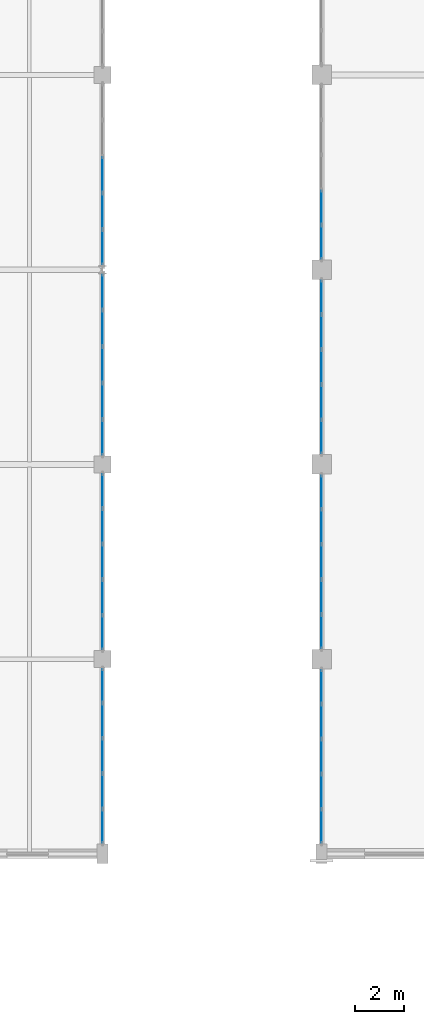
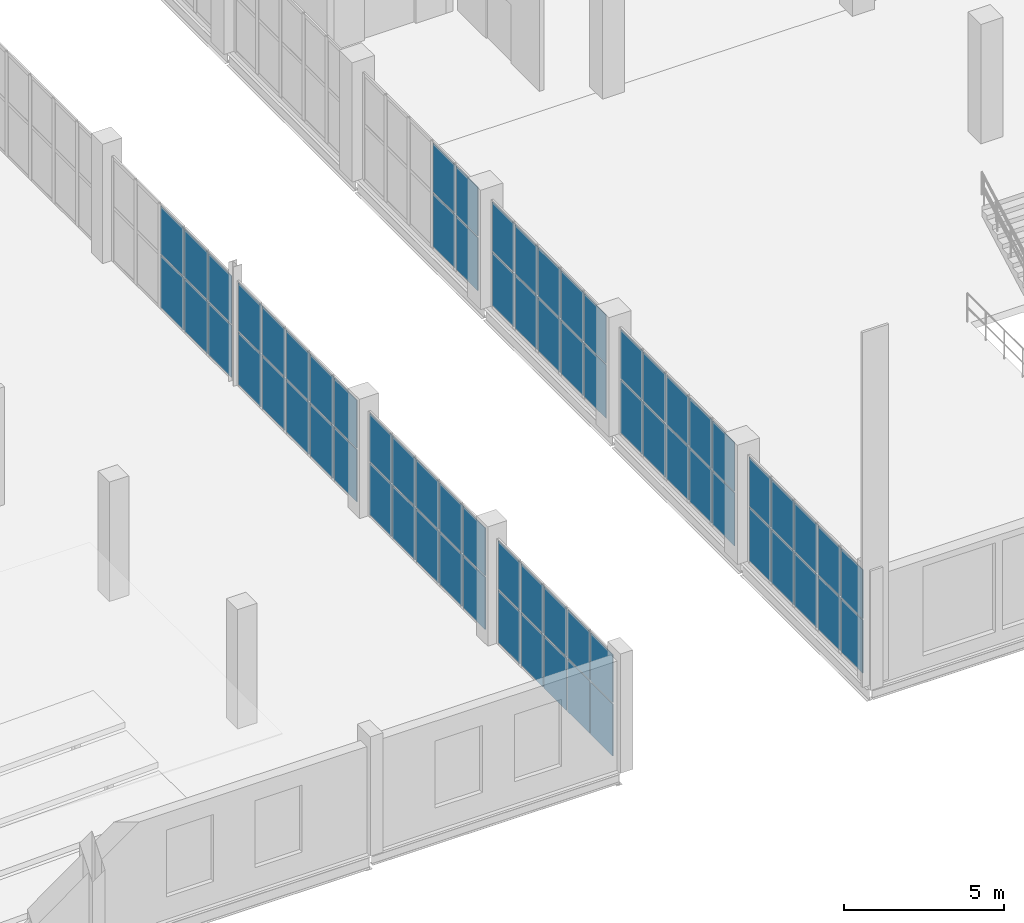
# One storey, part 56 of 93: 70 plates, 8 elements without a shape of their own.
"""IFC4 building model written with IfcOpenShell, lengths in metres."""

from ifc_helpers import new_model, si_unit, direction, frame, origin, origin_2d, place, context, subcontext, project, spatial, rectangle, extrude, material, layer, layer_set, type_object, element, aggregate, save


model = new_model("IFC4")

# Units and contexts
model_context = context("Model", 3, precision=1e-05, world=origin(), true_north=direction((0.0, 1.0)))
body_context = subcontext(model_context, "Body", "Model", "MODEL_VIEW")
ifc_project = project(units=[si_unit("LENGTHUNIT", "METRE"), si_unit("AREAUNIT", "SQUARE_METRE"), si_unit("VOLUMEUNIT", "CUBIC_METRE"), si_unit("PLANEANGLEUNIT", "RADIAN"), si_unit("MASSUNIT", "GRAM", prefix="KILO")], contexts=[model_context])

# Site, building, storey
site_placement = place(None, origin())
site = spatial("IfcSite", under=ifc_project, at=site_placement, CompositionType="ELEMENT")
building_placement = place(site_placement, origin())
building = spatial("IfcBuilding", under=site, at=building_placement, Name="Marnock Terrace Opera House", CompositionType="ELEMENT")
storey_placement = place(building_placement, frame((0.0, 0.0, 5.39990234375)))
storey = spatial("IfcBuildingStorey", under=building, at=storey_placement, Name="L01", CompositionType="ELEMENT", Elevation=5.39990234375)

# Curtain wall, plates
ifc_material_1 = material(Name="Anodised architectural bronze aluminium framing", Category="aluminium")
ifc_layer_1 = layer(ifc_material_1, 0.159912109375)
ifc_layer_set_1 = layer_set([ifc_layer_1], Name="Anodised architectural bronze aluminium framing")
curtain_wall_type_1 = type_object("IfcCurtainWallType", Name="CW-FOYER-80x45", PredefinedType="NOTDEFINED", material=ifc_layer_set_1)
curtain_wall_1_placement = place(storey_placement, origin())
curtain_wall_1 = element("IfcCurtainWall", 1, at=curtain_wall_1_placement, inside=storey, type_object=curtain_wall_type_1, Name="L01 glazed Beaux-Arts colonnade curtain wall CW-V1W-L01-01", PredefinedType="NOTDEFINED")
ifc_material_2 = material(Name="Double-glazed acoustic low-E laminated glass", Category="glass")
ifc_layer_2 = layer(ifc_material_2, 0.028076171875)
ifc_layer_set_2 = layer_set([ifc_layer_2], Name="Double-glazed acoustic low-E laminated glass")
plate_type = type_object("IfcPlateType", Name="CWP-GLZ-28", PredefinedType="CURTAIN_PANEL", material=ifc_layer_set_2)
plate_1_placement = place(storey_placement, frame((55.0, 9.1318359375, 0.06005859375), z_axis=(0.0, 0.0, 1.0), x_axis=(0.0, 1.0, 0.0)))
plate_1 = element("IfcPlate", 2, at=plate_1_placement, type_object=plate_type, Name="CW-87 panel 1.1", PredefinedType="CURTAIN_PANEL", context=body_context, shape_type="SweptSolid", body=[
    extrude(rectangle(XDim=1.3515625, YDim=0.028076171875, at=origin_2d()), origin(), (0.0, 0.0, 1.0), 2.017333984375),
])
plate_2_placement = place(storey_placement, frame((55.0, 9.1318359375, 2.1376953125), z_axis=(0.0, 0.0, 1.0), x_axis=(0.0, 1.0, 0.0)))
plate_2 = element("IfcPlate", 3, at=plate_2_placement, type_object=plate_type, Name="CW-87 panel 1.2", PredefinedType="CURTAIN_PANEL", context=body_context, shape_type="SweptSolid", body=[
    extrude(rectangle(XDim=1.3515625, YDim=0.028076171875, at=origin_2d()), origin(), (0.0, 0.0, 1.0), 1.855224609375),
])
plate_3_placement = place(storey_placement, frame((55.0, 10.558349609375, 0.06005859375), z_axis=(0.0, 0.0, 1.0), x_axis=(0.0, 1.0, 0.0)))
plate_3 = element("IfcPlate", 4, at=plate_3_placement, type_object=plate_type, Name="CW-87 panel 2.1", PredefinedType="CURTAIN_PANEL", context=body_context, shape_type="SweptSolid", body=[
    extrude(rectangle(XDim=1.381591796875, YDim=0.028076171875, at=origin_2d()), origin(), (0.0, 0.0, 1.0), 2.017333984375),
])
plate_4_placement = place(storey_placement, frame((55.0, 10.558349609375, 2.1376953125), z_axis=(0.0, 0.0, 1.0), x_axis=(0.0, 1.0, 0.0)))
plate_4 = element("IfcPlate", 5, at=plate_4_placement, type_object=plate_type, Name="CW-87 panel 2.2", PredefinedType="CURTAIN_PANEL", context=body_context, shape_type="SweptSolid", body=[
    extrude(rectangle(XDim=1.381591796875, YDim=0.028076171875, at=origin_2d()), origin(), (0.0, 0.0, 1.0), 1.855224609375),
])
plate_5_placement = place(storey_placement, frame((55.0, 12.0, 0.06005859375), z_axis=(0.0, 0.0, 1.0), x_axis=(0.0, 1.0, 0.0)))
plate_5 = element("IfcPlate", 6, at=plate_5_placement, type_object=plate_type, Name="CW-87 panel 3.1", PredefinedType="CURTAIN_PANEL", context=body_context, shape_type="SweptSolid", body=[
    extrude(rectangle(XDim=1.381591796875, YDim=0.028076171875, at=origin_2d()), origin(), (0.0, 0.0, 1.0), 2.017333984375),
])
plate_6_placement = place(storey_placement, frame((55.0, 12.0, 2.1376953125), z_axis=(0.0, 0.0, 1.0), x_axis=(0.0, 1.0, 0.0)))
plate_6 = element("IfcPlate", 7, at=plate_6_placement, type_object=plate_type, Name="CW-87 panel 3.2", PredefinedType="CURTAIN_PANEL", context=body_context, shape_type="SweptSolid", body=[
    extrude(rectangle(XDim=1.381591796875, YDim=0.028076171875, at=origin_2d()), origin(), (0.0, 0.0, 1.0), 1.855224609375),
])
plate_7_placement = place(storey_placement, frame((55.0, 13.441650390625, 0.06005859375), z_axis=(0.0, 0.0, 1.0), x_axis=(0.0, 1.0, 0.0)))
plate_7 = element("IfcPlate", 8, at=plate_7_placement, type_object=plate_type, Name="CW-87 panel 4.1", PredefinedType="CURTAIN_PANEL", context=body_context, shape_type="SweptSolid", body=[
    extrude(rectangle(XDim=1.381591796875, YDim=0.028076171875, at=origin_2d()), origin(), (0.0, 0.0, 1.0), 2.017333984375),
])
plate_8_placement = place(storey_placement, frame((55.0, 13.441650390625, 2.1376953125), z_axis=(0.0, 0.0, 1.0), x_axis=(0.0, 1.0, 0.0)))
plate_8 = element("IfcPlate", 9, at=plate_8_placement, type_object=plate_type, Name="CW-87 panel 4.2", PredefinedType="CURTAIN_PANEL", context=body_context, shape_type="SweptSolid", body=[
    extrude(rectangle(XDim=1.381591796875, YDim=0.028076171875, at=origin_2d()), origin(), (0.0, 0.0, 1.0), 1.855224609375),
])
plate_9_placement = place(storey_placement, frame((55.0, 14.8681640625, 0.06005859375), z_axis=(0.0, 0.0, 1.0), x_axis=(0.0, 1.0, 0.0)))
plate_9 = element("IfcPlate", 10, at=plate_9_placement, type_object=plate_type, Name="CW-87 panel 5.1", PredefinedType="CURTAIN_PANEL", context=body_context, shape_type="SweptSolid", body=[
    extrude(rectangle(XDim=1.3515625, YDim=0.028076171875, at=origin_2d()), origin(), (0.0, 0.0, 1.0), 2.017333984375),
])
plate_10_placement = place(storey_placement, frame((55.0, 14.8681640625, 2.1376953125), z_axis=(0.0, 0.0, 1.0), x_axis=(0.0, 1.0, 0.0)))
plate_10 = element("IfcPlate", 11, at=plate_10_placement, type_object=plate_type, Name="CW-87 panel 5.2", PredefinedType="CURTAIN_PANEL", context=body_context, shape_type="SweptSolid", body=[
    extrude(rectangle(XDim=1.3515625, YDim=0.028076171875, at=origin_2d()), origin(), (0.0, 0.0, 1.0), 1.855224609375),
])
aggregate(curtain_wall_1, [plate_1, plate_2, plate_3, plate_4, plate_5, plate_6, plate_7, plate_8, plate_9, plate_10])

curtain_wall_2_placement = place(storey_placement, origin())
curtain_wall_2 = element("IfcCurtainWall", 12, at=curtain_wall_2_placement, inside=storey, type_object=curtain_wall_type_1, Name="L01 glazed Beaux-Arts colonnade curtain wall CW-V1W-L01-02", PredefinedType="NOTDEFINED")
plate_11_placement = place(storey_placement, frame((55.0, 17.1318359375, 0.06005859375), z_axis=(0.0, 0.0, 1.0), x_axis=(0.0, 1.0, 0.0)))
plate_11 = element("IfcPlate", 13, at=plate_11_placement, type_object=plate_type, Name="CW-87 panel 1.1", PredefinedType="CURTAIN_PANEL", context=body_context, shape_type="SweptSolid", body=[
    extrude(rectangle(XDim=1.3515625, YDim=0.028076171875, at=origin_2d()), origin(), (0.0, 0.0, 1.0), 2.017333984375),
])
plate_12_placement = place(storey_placement, frame((55.0, 17.1318359375, 2.1376953125), z_axis=(0.0, 0.0, 1.0), x_axis=(0.0, 1.0, 0.0)))
plate_12 = element("IfcPlate", 14, at=plate_12_placement, type_object=plate_type, Name="CW-87 panel 1.2", PredefinedType="CURTAIN_PANEL", context=body_context, shape_type="SweptSolid", body=[
    extrude(rectangle(XDim=1.3515625, YDim=0.028076171875, at=origin_2d()), origin(), (0.0, 0.0, 1.0), 1.855224609375),
])
plate_13_placement = place(storey_placement, frame((55.0, 18.558349609375, 0.06005859375), z_axis=(0.0, 0.0, 1.0), x_axis=(0.0, 1.0, 0.0)))
plate_13 = element("IfcPlate", 15, at=plate_13_placement, type_object=plate_type, Name="CW-87 panel 2.1", PredefinedType="CURTAIN_PANEL", context=body_context, shape_type="SweptSolid", body=[
    extrude(rectangle(XDim=1.381591796875, YDim=0.028076171875, at=origin_2d()), origin(), (0.0, 0.0, 1.0), 2.017333984375),
])
plate_14_placement = place(storey_placement, frame((55.0, 18.558349609375, 2.1376953125), z_axis=(0.0, 0.0, 1.0), x_axis=(0.0, 1.0, 0.0)))
plate_14 = element("IfcPlate", 16, at=plate_14_placement, type_object=plate_type, Name="CW-87 panel 2.2", PredefinedType="CURTAIN_PANEL", context=body_context, shape_type="SweptSolid", body=[
    extrude(rectangle(XDim=1.381591796875, YDim=0.028076171875, at=origin_2d()), origin(), (0.0, 0.0, 1.0), 1.855224609375),
])
plate_15_placement = place(storey_placement, frame((55.0, 20.0, 0.06005859375), z_axis=(0.0, 0.0, 1.0), x_axis=(0.0, 1.0, 0.0)))
plate_15 = element("IfcPlate", 17, at=plate_15_placement, type_object=plate_type, Name="CW-87 panel 3.1", PredefinedType="CURTAIN_PANEL", context=body_context, shape_type="SweptSolid", body=[
    extrude(rectangle(XDim=1.381591796875, YDim=0.028076171875, at=origin_2d()), origin(), (0.0, 0.0, 1.0), 2.017333984375),
])
plate_16_placement = place(storey_placement, frame((55.0, 20.0, 2.1376953125), z_axis=(0.0, 0.0, 1.0), x_axis=(0.0, 1.0, 0.0)))
plate_16 = element("IfcPlate", 18, at=plate_16_placement, type_object=plate_type, Name="CW-87 panel 3.2", PredefinedType="CURTAIN_PANEL", context=body_context, shape_type="SweptSolid", body=[
    extrude(rectangle(XDim=1.381591796875, YDim=0.028076171875, at=origin_2d()), origin(), (0.0, 0.0, 1.0), 1.855224609375),
])
plate_17_placement = place(storey_placement, frame((55.0, 21.441650390625, 0.06005859375), z_axis=(0.0, 0.0, 1.0), x_axis=(0.0, 1.0, 0.0)))
plate_17 = element("IfcPlate", 19, at=plate_17_placement, type_object=plate_type, Name="CW-87 panel 4.1", PredefinedType="CURTAIN_PANEL", context=body_context, shape_type="SweptSolid", body=[
    extrude(rectangle(XDim=1.381591796875, YDim=0.028076171875, at=origin_2d()), origin(), (0.0, 0.0, 1.0), 2.017333984375),
])
plate_18_placement = place(storey_placement, frame((55.0, 21.441650390625, 2.1376953125), z_axis=(0.0, 0.0, 1.0), x_axis=(0.0, 1.0, 0.0)))
plate_18 = element("IfcPlate", 20, at=plate_18_placement, type_object=plate_type, Name="CW-87 panel 4.2", PredefinedType="CURTAIN_PANEL", context=body_context, shape_type="SweptSolid", body=[
    extrude(rectangle(XDim=1.381591796875, YDim=0.028076171875, at=origin_2d()), origin(), (0.0, 0.0, 1.0), 1.855224609375),
])
plate_19_placement = place(storey_placement, frame((55.0, 22.8681640625, 0.06005859375), z_axis=(0.0, 0.0, 1.0), x_axis=(0.0, 1.0, 0.0)))
plate_19 = element("IfcPlate", 21, at=plate_19_placement, type_object=plate_type, Name="CW-87 panel 5.1", PredefinedType="CURTAIN_PANEL", context=body_context, shape_type="SweptSolid", body=[
    extrude(rectangle(XDim=1.3515625, YDim=0.028076171875, at=origin_2d()), origin(), (0.0, 0.0, 1.0), 2.017333984375),
])
plate_20_placement = place(storey_placement, frame((55.0, 22.8681640625, 2.1376953125), z_axis=(0.0, 0.0, 1.0), x_axis=(0.0, 1.0, 0.0)))
plate_20 = element("IfcPlate", 22, at=plate_20_placement, type_object=plate_type, Name="CW-87 panel 5.2", PredefinedType="CURTAIN_PANEL", context=body_context, shape_type="SweptSolid", body=[
    extrude(rectangle(XDim=1.3515625, YDim=0.028076171875, at=origin_2d()), origin(), (0.0, 0.0, 1.0), 1.855224609375),
])
aggregate(curtain_wall_2, [plate_11, plate_12, plate_13, plate_14, plate_15, plate_16, plate_17, plate_18, plate_19, plate_20])

curtain_wall_3_placement = place(storey_placement, origin())
curtain_wall_3 = element("IfcCurtainWall", 23, at=curtain_wall_3_placement, inside=storey, type_object=curtain_wall_type_1, Name="L01 glazed Beaux-Arts colonnade curtain wall CW-V1W-L01-03", PredefinedType="NOTDEFINED")
plate_21_placement = place(storey_placement, frame((55.0, 25.1318359375, 0.06005859375), z_axis=(0.0, 0.0, 1.0), x_axis=(0.0, 1.0, 0.0)))
plate_21 = element("IfcPlate", 24, at=plate_21_placement, type_object=plate_type, Name="CW-87 panel 1.1", PredefinedType="CURTAIN_PANEL", context=body_context, shape_type="SweptSolid", body=[
    extrude(rectangle(XDim=1.3515625, YDim=0.028076171875, at=origin_2d()), origin(), (0.0, 0.0, 1.0), 2.017333984375),
])
plate_22_placement = place(storey_placement, frame((55.0, 25.1318359375, 2.1376953125), z_axis=(0.0, 0.0, 1.0), x_axis=(0.0, 1.0, 0.0)))
plate_22 = element("IfcPlate", 25, at=plate_22_placement, type_object=plate_type, Name="CW-87 panel 1.2", PredefinedType="CURTAIN_PANEL", context=body_context, shape_type="SweptSolid", body=[
    extrude(rectangle(XDim=1.3515625, YDim=0.028076171875, at=origin_2d()), origin(), (0.0, 0.0, 1.0), 1.855224609375),
])
plate_23_placement = place(storey_placement, frame((55.0, 26.558349609375, 0.06005859375), z_axis=(0.0, 0.0, 1.0), x_axis=(0.0, 1.0, 0.0)))
plate_23 = element("IfcPlate", 26, at=plate_23_placement, type_object=plate_type, Name="CW-87 panel 2.1", PredefinedType="CURTAIN_PANEL", context=body_context, shape_type="SweptSolid", body=[
    extrude(rectangle(XDim=1.381591796875, YDim=0.028076171875, at=origin_2d()), origin(), (0.0, 0.0, 1.0), 2.017333984375),
])
plate_24_placement = place(storey_placement, frame((55.0, 26.558349609375, 2.1376953125), z_axis=(0.0, 0.0, 1.0), x_axis=(0.0, 1.0, 0.0)))
plate_24 = element("IfcPlate", 27, at=plate_24_placement, type_object=plate_type, Name="CW-87 panel 2.2", PredefinedType="CURTAIN_PANEL", context=body_context, shape_type="SweptSolid", body=[
    extrude(rectangle(XDim=1.381591796875, YDim=0.028076171875, at=origin_2d()), origin(), (0.0, 0.0, 1.0), 1.855224609375),
])
plate_25_placement = place(storey_placement, frame((55.0, 28.0, 0.06005859375), z_axis=(0.0, 0.0, 1.0), x_axis=(0.0, 1.0, 0.0)))
plate_25 = element("IfcPlate", 28, at=plate_25_placement, type_object=plate_type, Name="CW-87 panel 3.1", PredefinedType="CURTAIN_PANEL", context=body_context, shape_type="SweptSolid", body=[
    extrude(rectangle(XDim=1.381591796875, YDim=0.028076171875, at=origin_2d()), origin(), (0.0, 0.0, 1.0), 2.017333984375),
])
plate_26_placement = place(storey_placement, frame((55.0, 28.0, 2.1376953125), z_axis=(0.0, 0.0, 1.0), x_axis=(0.0, 1.0, 0.0)))
plate_26 = element("IfcPlate", 29, at=plate_26_placement, type_object=plate_type, Name="CW-87 panel 3.2", PredefinedType="CURTAIN_PANEL", context=body_context, shape_type="SweptSolid", body=[
    extrude(rectangle(XDim=1.381591796875, YDim=0.028076171875, at=origin_2d()), origin(), (0.0, 0.0, 1.0), 1.855224609375),
])
plate_27_placement = place(storey_placement, frame((55.0, 29.441650390625, 0.06005859375), z_axis=(0.0, 0.0, 1.0), x_axis=(0.0, 1.0, 0.0)))
plate_27 = element("IfcPlate", 30, at=plate_27_placement, type_object=plate_type, Name="CW-87 panel 4.1", PredefinedType="CURTAIN_PANEL", context=body_context, shape_type="SweptSolid", body=[
    extrude(rectangle(XDim=1.381591796875, YDim=0.028076171875, at=origin_2d()), origin(), (0.0, 0.0, 1.0), 2.017333984375),
])
plate_28_placement = place(storey_placement, frame((55.0, 29.441650390625, 2.1376953125), z_axis=(0.0, 0.0, 1.0), x_axis=(0.0, 1.0, 0.0)))
plate_28 = element("IfcPlate", 31, at=plate_28_placement, type_object=plate_type, Name="CW-87 panel 4.2", PredefinedType="CURTAIN_PANEL", context=body_context, shape_type="SweptSolid", body=[
    extrude(rectangle(XDim=1.381591796875, YDim=0.028076171875, at=origin_2d()), origin(), (0.0, 0.0, 1.0), 1.855224609375),
])
plate_29_placement = place(storey_placement, frame((55.0, 30.8681640625, 0.06005859375), z_axis=(0.0, 0.0, 1.0), x_axis=(0.0, 1.0, 0.0)))
plate_29 = element("IfcPlate", 32, at=plate_29_placement, type_object=plate_type, Name="CW-87 panel 5.1", PredefinedType="CURTAIN_PANEL", context=body_context, shape_type="SweptSolid", body=[
    extrude(rectangle(XDim=1.3515625, YDim=0.028076171875, at=origin_2d()), origin(), (0.0, 0.0, 1.0), 2.017333984375),
])
plate_30_placement = place(storey_placement, frame((55.0, 30.8681640625, 2.1376953125), z_axis=(0.0, 0.0, 1.0), x_axis=(0.0, 1.0, 0.0)))
plate_30 = element("IfcPlate", 33, at=plate_30_placement, type_object=plate_type, Name="CW-87 panel 5.2", PredefinedType="CURTAIN_PANEL", context=body_context, shape_type="SweptSolid", body=[
    extrude(rectangle(XDim=1.3515625, YDim=0.028076171875, at=origin_2d()), origin(), (0.0, 0.0, 1.0), 1.855224609375),
])
aggregate(curtain_wall_3, [plate_21, plate_22, plate_23, plate_24, plate_25, plate_26, plate_27, plate_28, plate_29, plate_30])

curtain_wall_4_placement = place(storey_placement, origin())
curtain_wall_4 = element("IfcCurtainWall", 34, at=curtain_wall_4_placement, inside=storey, type_object=curtain_wall_type_1, Name="L01 glazed Beaux-Arts colonnade curtain wall CW-V1W-L01-04", PredefinedType="NOTDEFINED")
plate_31_placement = place(storey_placement, frame((55.0, 33.1318359375, 0.06005859375), z_axis=(0.0, 0.0, 1.0), x_axis=(0.0, 1.0, 0.0)))
plate_31 = element("IfcPlate", 35, at=plate_31_placement, type_object=plate_type, Name="CW-87 panel 1.1", PredefinedType="CURTAIN_PANEL", context=body_context, shape_type="SweptSolid", body=[
    extrude(rectangle(XDim=1.3515625, YDim=0.028076171875, at=origin_2d()), origin(), (0.0, 0.0, 1.0), 2.017333984375),
])
plate_32_placement = place(storey_placement, frame((55.0, 33.1318359375, 2.1376953125), z_axis=(0.0, 0.0, 1.0), x_axis=(0.0, 1.0, 0.0)))
plate_32 = element("IfcPlate", 36, at=plate_32_placement, type_object=plate_type, Name="CW-87 panel 1.2", PredefinedType="CURTAIN_PANEL", context=body_context, shape_type="SweptSolid", body=[
    extrude(rectangle(XDim=1.3515625, YDim=0.028076171875, at=origin_2d()), origin(), (0.0, 0.0, 1.0), 1.855224609375),
])
plate_33_placement = place(storey_placement, frame((55.0, 34.558349609375, 0.06005859375), z_axis=(0.0, 0.0, 1.0), x_axis=(0.0, 1.0, 0.0)))
plate_33 = element("IfcPlate", 37, at=plate_33_placement, type_object=plate_type, Name="CW-87 panel 2.1", PredefinedType="CURTAIN_PANEL", context=body_context, shape_type="SweptSolid", body=[
    extrude(rectangle(XDim=1.381591796875, YDim=0.028076171875, at=origin_2d()), origin(), (0.0, 0.0, 1.0), 2.017333984375),
])
plate_34_placement = place(storey_placement, frame((55.0, 34.558349609375, 2.1376953125), z_axis=(0.0, 0.0, 1.0), x_axis=(0.0, 1.0, 0.0)))
plate_34 = element("IfcPlate", 38, at=plate_34_placement, type_object=plate_type, Name="CW-87 panel 2.2", PredefinedType="CURTAIN_PANEL", context=body_context, shape_type="SweptSolid", body=[
    extrude(rectangle(XDim=1.381591796875, YDim=0.028076171875, at=origin_2d()), origin(), (0.0, 0.0, 1.0), 1.855224609375),
])
aggregate(curtain_wall_4, [plate_31, plate_32, plate_33, plate_34])

ifc_layer_3 = layer(ifc_material_1, 0.159912109375)
ifc_layer_set_3 = layer_set([ifc_layer_3], Name="Anodised architectural bronze aluminium framing")
curtain_wall_type_2 = type_object("IfcCurtainWallType", Name="CW-COURT-80x45", PredefinedType="NOTDEFINED", material=ifc_layer_set_3)
curtain_wall_5_placement = place(storey_placement, origin())
curtain_wall_5 = element("IfcCurtainWall", 39, at=curtain_wall_5_placement, inside=storey, type_object=curtain_wall_type_2, Name="L01 glazed Beaux-Arts colonnade curtain wall CW-V3E-L01-01", PredefinedType="NOTDEFINED")
plate_35_placement = place(storey_placement, frame((46.0, 9.13671875, 0.06005859375), z_axis=(0.0, 0.0, 1.0), x_axis=(0.0, 1.0, 0.0)))
plate_35 = element("IfcPlate", 40, at=plate_35_placement, type_object=plate_type, Name="CW-67 panel 1.1", PredefinedType="CURTAIN_PANEL", context=body_context, shape_type="SweptSolid", body=[
    extrude(rectangle(XDim=1.361572265625, YDim=0.028076171875, at=origin_2d()), origin(), (0.0, 0.0, 1.0), 1.980712890625),
])
plate_36_placement = place(storey_placement, frame((46.0, 9.13671875, 2.100830078125), z_axis=(0.0, 0.0, 1.0), x_axis=(0.0, 1.0, 0.0)))
plate_36 = element("IfcPlate", 41, at=plate_36_placement, type_object=plate_type, Name="CW-67 panel 1.2", PredefinedType="CURTAIN_PANEL", context=body_context, shape_type="SweptSolid", body=[
    extrude(rectangle(XDim=1.361572265625, YDim=0.028076171875, at=origin_2d()), origin(), (0.0, 0.0, 1.0), 1.8212890625),
])
plate_37_placement = place(storey_placement, frame((46.0, 10.573486328125, 0.06005859375), z_axis=(0.0, 0.0, 1.0), x_axis=(0.0, 1.0, 0.0)))
plate_37 = element("IfcPlate", 42, at=plate_37_placement, type_object=plate_type, Name="CW-67 panel 2.1", PredefinedType="CURTAIN_PANEL", context=body_context, shape_type="SweptSolid", body=[
    extrude(rectangle(XDim=1.3916015625, YDim=0.028076171875, at=origin_2d()), origin(), (0.0, 0.0, 1.0), 1.980712890625),
])
plate_38_placement = place(storey_placement, frame((46.0, 10.573486328125, 2.100830078125), z_axis=(0.0, 0.0, 1.0), x_axis=(0.0, 1.0, 0.0)))
plate_38 = element("IfcPlate", 43, at=plate_38_placement, type_object=plate_type, Name="CW-67 panel 2.2", PredefinedType="CURTAIN_PANEL", context=body_context, shape_type="SweptSolid", body=[
    extrude(rectangle(XDim=1.3916015625, YDim=0.028076171875, at=origin_2d()), origin(), (0.0, 0.0, 1.0), 1.8212890625),
])
plate_39_placement = place(storey_placement, frame((46.0, 12.02490234375, 0.06005859375), z_axis=(0.0, 0.0, 1.0), x_axis=(0.0, 1.0, 0.0)))
plate_39 = element("IfcPlate", 44, at=plate_39_placement, type_object=plate_type, Name="CW-67 panel 3.1", PredefinedType="CURTAIN_PANEL", context=body_context, shape_type="SweptSolid", body=[
    extrude(rectangle(XDim=1.3916015625, YDim=0.028076171875, at=origin_2d()), origin(), (0.0, 0.0, 1.0), 1.980712890625),
])
plate_40_placement = place(storey_placement, frame((46.0, 12.02490234375, 2.100830078125), z_axis=(0.0, 0.0, 1.0), x_axis=(0.0, 1.0, 0.0)))
plate_40 = element("IfcPlate", 45, at=plate_40_placement, type_object=plate_type, Name="CW-67 panel 3.2", PredefinedType="CURTAIN_PANEL", context=body_context, shape_type="SweptSolid", body=[
    extrude(rectangle(XDim=1.3916015625, YDim=0.028076171875, at=origin_2d()), origin(), (0.0, 0.0, 1.0), 1.8212890625),
])
plate_41_placement = place(storey_placement, frame((46.0, 13.4765625, 0.06005859375), z_axis=(0.0, 0.0, 1.0), x_axis=(0.0, 1.0, 0.0)))
plate_41 = element("IfcPlate", 46, at=plate_41_placement, type_object=plate_type, Name="CW-67 panel 4.1", PredefinedType="CURTAIN_PANEL", context=body_context, shape_type="SweptSolid", body=[
    extrude(rectangle(XDim=1.3916015625, YDim=0.028076171875, at=origin_2d()), origin(), (0.0, 0.0, 1.0), 1.980712890625),
])
plate_42_placement = place(storey_placement, frame((46.0, 13.4765625, 2.100830078125), z_axis=(0.0, 0.0, 1.0), x_axis=(0.0, 1.0, 0.0)))
plate_42 = element("IfcPlate", 47, at=plate_42_placement, type_object=plate_type, Name="CW-67 panel 4.2", PredefinedType="CURTAIN_PANEL", context=body_context, shape_type="SweptSolid", body=[
    extrude(rectangle(XDim=1.3916015625, YDim=0.028076171875, at=origin_2d()), origin(), (0.0, 0.0, 1.0), 1.8212890625),
])
plate_43_placement = place(storey_placement, frame((46.0, 14.9130859375, 0.06005859375), z_axis=(0.0, 0.0, 1.0), x_axis=(0.0, 1.0, 0.0)))
plate_43 = element("IfcPlate", 48, at=plate_43_placement, type_object=plate_type, Name="CW-67 panel 5.1", PredefinedType="CURTAIN_PANEL", context=body_context, shape_type="SweptSolid", body=[
    extrude(rectangle(XDim=1.361572265625, YDim=0.028076171875, at=origin_2d()), origin(), (0.0, 0.0, 1.0), 1.980712890625),
])
plate_44_placement = place(storey_placement, frame((46.0, 14.9130859375, 2.100830078125), z_axis=(0.0, 0.0, 1.0), x_axis=(0.0, 1.0, 0.0)))
plate_44 = element("IfcPlate", 49, at=plate_44_placement, type_object=plate_type, Name="CW-67 panel 5.2", PredefinedType="CURTAIN_PANEL", context=body_context, shape_type="SweptSolid", body=[
    extrude(rectangle(XDim=1.361572265625, YDim=0.028076171875, at=origin_2d()), origin(), (0.0, 0.0, 1.0), 1.8212890625),
])
aggregate(curtain_wall_5, [plate_35, plate_36, plate_37, plate_38, plate_39, plate_40, plate_41, plate_42, plate_43, plate_44])

curtain_wall_6_placement = place(storey_placement, origin())
curtain_wall_6 = element("IfcCurtainWall", 50, at=curtain_wall_6_placement, inside=storey, type_object=curtain_wall_type_2, Name="L01 glazed Beaux-Arts colonnade curtain wall CW-V3E-L01-02", PredefinedType="NOTDEFINED")
plate_45_placement = place(storey_placement, frame((46.0, 17.091796875, 0.06005859375), z_axis=(0.0, 0.0, 1.0), x_axis=(0.0, 1.0, 0.0)))
plate_45 = element("IfcPlate", 51, at=plate_45_placement, type_object=plate_type, Name="CW-67 panel 1.1", PredefinedType="CURTAIN_PANEL", context=body_context, shape_type="SweptSolid", body=[
    extrude(rectangle(XDim=1.37158203125, YDim=0.028076171875, at=origin_2d()), origin(), (0.0, 0.0, 1.0), 1.980712890625),
])
plate_46_placement = place(storey_placement, frame((46.0, 17.091796875, 2.100830078125), z_axis=(0.0, 0.0, 1.0), x_axis=(0.0, 1.0, 0.0)))
plate_46 = element("IfcPlate", 52, at=plate_46_placement, type_object=plate_type, Name="CW-67 panel 1.2", PredefinedType="CURTAIN_PANEL", context=body_context, shape_type="SweptSolid", body=[
    extrude(rectangle(XDim=1.37158203125, YDim=0.028076171875, at=origin_2d()), origin(), (0.0, 0.0, 1.0), 1.8212890625),
])
plate_47_placement = place(storey_placement, frame((46.0, 18.538330078125, 0.06005859375), z_axis=(0.0, 0.0, 1.0), x_axis=(0.0, 1.0, 0.0)))
plate_47 = element("IfcPlate", 53, at=plate_47_placement, type_object=plate_type, Name="CW-67 panel 2.1", PredefinedType="CURTAIN_PANEL", context=body_context, shape_type="SweptSolid", body=[
    extrude(rectangle(XDim=1.401611328125, YDim=0.028076171875, at=origin_2d()), origin(), (0.0, 0.0, 1.0), 1.980712890625),
])
plate_48_placement = place(storey_placement, frame((46.0, 18.538330078125, 2.100830078125), z_axis=(0.0, 0.0, 1.0), x_axis=(0.0, 1.0, 0.0)))
plate_48 = element("IfcPlate", 54, at=plate_48_placement, type_object=plate_type, Name="CW-67 panel 2.2", PredefinedType="CURTAIN_PANEL", context=body_context, shape_type="SweptSolid", body=[
    extrude(rectangle(XDim=1.401611328125, YDim=0.028076171875, at=origin_2d()), origin(), (0.0, 0.0, 1.0), 1.8212890625),
])
plate_49_placement = place(storey_placement, frame((46.0, 20.0, 0.06005859375), z_axis=(0.0, 0.0, 1.0), x_axis=(0.0, 1.0, 0.0)))
plate_49 = element("IfcPlate", 55, at=plate_49_placement, type_object=plate_type, Name="CW-67 panel 3.1", PredefinedType="CURTAIN_PANEL", context=body_context, shape_type="SweptSolid", body=[
    extrude(rectangle(XDim=1.401611328125, YDim=0.028076171875, at=origin_2d()), origin(), (0.0, 0.0, 1.0), 1.980712890625),
])
plate_50_placement = place(storey_placement, frame((46.0, 20.0, 2.100830078125), z_axis=(0.0, 0.0, 1.0), x_axis=(0.0, 1.0, 0.0)))
plate_50 = element("IfcPlate", 56, at=plate_50_placement, type_object=plate_type, Name="CW-67 panel 3.2", PredefinedType="CURTAIN_PANEL", context=body_context, shape_type="SweptSolid", body=[
    extrude(rectangle(XDim=1.401611328125, YDim=0.028076171875, at=origin_2d()), origin(), (0.0, 0.0, 1.0), 1.8212890625),
])
plate_51_placement = place(storey_placement, frame((46.0, 21.461669921875, 0.06005859375), z_axis=(0.0, 0.0, 1.0), x_axis=(0.0, 1.0, 0.0)))
plate_51 = element("IfcPlate", 57, at=plate_51_placement, type_object=plate_type, Name="CW-67 panel 4.1", PredefinedType="CURTAIN_PANEL", context=body_context, shape_type="SweptSolid", body=[
    extrude(rectangle(XDim=1.401611328125, YDim=0.028076171875, at=origin_2d()), origin(), (0.0, 0.0, 1.0), 1.980712890625),
])
plate_52_placement = place(storey_placement, frame((46.0, 21.461669921875, 2.100830078125), z_axis=(0.0, 0.0, 1.0), x_axis=(0.0, 1.0, 0.0)))
plate_52 = element("IfcPlate", 58, at=plate_52_placement, type_object=plate_type, Name="CW-67 panel 4.2", PredefinedType="CURTAIN_PANEL", context=body_context, shape_type="SweptSolid", body=[
    extrude(rectangle(XDim=1.401611328125, YDim=0.028076171875, at=origin_2d()), origin(), (0.0, 0.0, 1.0), 1.8212890625),
])
plate_53_placement = place(storey_placement, frame((46.0, 22.908203125, 0.06005859375), z_axis=(0.0, 0.0, 1.0), x_axis=(0.0, 1.0, 0.0)))
plate_53 = element("IfcPlate", 59, at=plate_53_placement, type_object=plate_type, Name="CW-67 panel 5.1", PredefinedType="CURTAIN_PANEL", context=body_context, shape_type="SweptSolid", body=[
    extrude(rectangle(XDim=1.37158203125, YDim=0.028076171875, at=origin_2d()), origin(), (0.0, 0.0, 1.0), 1.980712890625),
])
plate_54_placement = place(storey_placement, frame((46.0, 22.908203125, 2.100830078125), z_axis=(0.0, 0.0, 1.0), x_axis=(0.0, 1.0, 0.0)))
plate_54 = element("IfcPlate", 60, at=plate_54_placement, type_object=plate_type, Name="CW-67 panel 5.2", PredefinedType="CURTAIN_PANEL", context=body_context, shape_type="SweptSolid", body=[
    extrude(rectangle(XDim=1.37158203125, YDim=0.028076171875, at=origin_2d()), origin(), (0.0, 0.0, 1.0), 1.8212890625),
])
aggregate(curtain_wall_6, [plate_45, plate_46, plate_47, plate_48, plate_49, plate_50, plate_51, plate_52, plate_53, plate_54])

curtain_wall_7_placement = place(storey_placement, origin())
curtain_wall_7 = element("IfcCurtainWall", 61, at=curtain_wall_7_placement, inside=storey, type_object=curtain_wall_type_2, Name="L01 glazed Beaux-Arts colonnade curtain wall CW-V3E-L01-03", PredefinedType="NOTDEFINED")
plate_55_placement = place(storey_placement, frame((46.0, 25.11083984375, 0.06005859375), z_axis=(0.0, 0.0, 1.0), x_axis=(0.0, 1.0, 0.0)))
plate_55 = element("IfcPlate", 62, at=plate_55_placement, type_object=plate_type, Name="CW-67 panel 1.1", PredefinedType="CURTAIN_PANEL", context=body_context, shape_type="SweptSolid", body=[
    extrude(rectangle(XDim=1.409423828125, YDim=0.028076171875, at=origin_2d()), origin(), (0.0, 0.0, 1.0), 1.980712890625),
])
plate_56_placement = place(storey_placement, frame((46.0, 25.11083984375, 2.100830078125), z_axis=(0.0, 0.0, 1.0), x_axis=(0.0, 1.0, 0.0)))
plate_56 = element("IfcPlate", 63, at=plate_56_placement, type_object=plate_type, Name="CW-67 panel 1.2", PredefinedType="CURTAIN_PANEL", context=body_context, shape_type="SweptSolid", body=[
    extrude(rectangle(XDim=1.409423828125, YDim=0.028076171875, at=origin_2d()), origin(), (0.0, 0.0, 1.0), 1.8212890625),
])
plate_57_placement = place(storey_placement, frame((46.0, 26.59521484375, 0.06005859375), z_axis=(0.0, 0.0, 1.0), x_axis=(0.0, 1.0, 0.0)))
plate_57 = element("IfcPlate", 64, at=plate_57_placement, type_object=plate_type, Name="CW-67 panel 2.1", PredefinedType="CURTAIN_PANEL", context=body_context, shape_type="SweptSolid", body=[
    extrude(rectangle(XDim=1.439453125, YDim=0.028076171875, at=origin_2d()), origin(), (0.0, 0.0, 1.0), 1.980712890625),
])
plate_58_placement = place(storey_placement, frame((46.0, 26.59521484375, 2.100830078125), z_axis=(0.0, 0.0, 1.0), x_axis=(0.0, 1.0, 0.0)))
plate_58 = element("IfcPlate", 65, at=plate_58_placement, type_object=plate_type, Name="CW-67 panel 2.2", PredefinedType="CURTAIN_PANEL", context=body_context, shape_type="SweptSolid", body=[
    extrude(rectangle(XDim=1.439453125, YDim=0.028076171875, at=origin_2d()), origin(), (0.0, 0.0, 1.0), 1.8212890625),
])
plate_59_placement = place(storey_placement, frame((46.0, 28.094970703125, 0.06005859375), z_axis=(0.0, 0.0, 1.0), x_axis=(0.0, 1.0, 0.0)))
plate_59 = element("IfcPlate", 66, at=plate_59_placement, type_object=plate_type, Name="CW-67 panel 3.1", PredefinedType="CURTAIN_PANEL", context=body_context, shape_type="SweptSolid", body=[
    extrude(rectangle(XDim=1.439453125, YDim=0.028076171875, at=origin_2d()), origin(), (0.0, 0.0, 1.0), 1.980712890625),
])
plate_60_placement = place(storey_placement, frame((46.0, 28.094970703125, 2.100830078125), z_axis=(0.0, 0.0, 1.0), x_axis=(0.0, 1.0, 0.0)))
plate_60 = element("IfcPlate", 67, at=plate_60_placement, type_object=plate_type, Name="CW-67 panel 3.2", PredefinedType="CURTAIN_PANEL", context=body_context, shape_type="SweptSolid", body=[
    extrude(rectangle(XDim=1.439453125, YDim=0.028076171875, at=origin_2d()), origin(), (0.0, 0.0, 1.0), 1.8212890625),
])
plate_61_placement = place(storey_placement, frame((46.0, 29.594482421875, 0.06005859375), z_axis=(0.0, 0.0, 1.0), x_axis=(0.0, 1.0, 0.0)))
plate_61 = element("IfcPlate", 68, at=plate_61_placement, type_object=plate_type, Name="CW-67 panel 4.1", PredefinedType="CURTAIN_PANEL", context=body_context, shape_type="SweptSolid", body=[
    extrude(rectangle(XDim=1.439453125, YDim=0.028076171875, at=origin_2d()), origin(), (0.0, 0.0, 1.0), 1.980712890625),
])
plate_62_placement = place(storey_placement, frame((46.0, 29.594482421875, 2.100830078125), z_axis=(0.0, 0.0, 1.0), x_axis=(0.0, 1.0, 0.0)))
plate_62 = element("IfcPlate", 69, at=plate_62_placement, type_object=plate_type, Name="CW-67 panel 4.2", PredefinedType="CURTAIN_PANEL", context=body_context, shape_type="SweptSolid", body=[
    extrude(rectangle(XDim=1.439453125, YDim=0.028076171875, at=origin_2d()), origin(), (0.0, 0.0, 1.0), 1.8212890625),
])
plate_63_placement = place(storey_placement, frame((46.0, 31.078857421875, 0.06005859375), z_axis=(0.0, 0.0, 1.0), x_axis=(0.0, 1.0, 0.0)))
plate_63 = element("IfcPlate", 70, at=plate_63_placement, type_object=plate_type, Name="CW-67 panel 5.1", PredefinedType="CURTAIN_PANEL", context=body_context, shape_type="SweptSolid", body=[
    extrude(rectangle(XDim=1.409423828125, YDim=0.028076171875, at=origin_2d()), origin(), (0.0, 0.0, 1.0), 1.980712890625),
])
plate_64_placement = place(storey_placement, frame((46.0, 31.078857421875, 2.100830078125), z_axis=(0.0, 0.0, 1.0), x_axis=(0.0, 1.0, 0.0)))
plate_64 = element("IfcPlate", 71, at=plate_64_placement, type_object=plate_type, Name="CW-67 panel 5.2", PredefinedType="CURTAIN_PANEL", context=body_context, shape_type="SweptSolid", body=[
    extrude(rectangle(XDim=1.409423828125, YDim=0.028076171875, at=origin_2d()), origin(), (0.0, 0.0, 1.0), 1.8212890625),
])
aggregate(curtain_wall_7, [plate_55, plate_56, plate_57, plate_58, plate_59, plate_60, plate_61, plate_62, plate_63, plate_64])

curtain_wall_8_placement = place(storey_placement, origin())
curtain_wall_8 = element("IfcCurtainWall", 72, at=curtain_wall_8_placement, inside=storey, type_object=curtain_wall_type_2, Name="L01 glazed Beaux-Arts colonnade curtain wall CW-V3E-L01-04", PredefinedType="NOTDEFINED")
plate_65_placement = place(storey_placement, frame((46.0, 32.921142578125, 0.06005859375), z_axis=(0.0, 0.0, 1.0), x_axis=(0.0, 1.0, 0.0)))
plate_65 = element("IfcPlate", 73, at=plate_65_placement, type_object=plate_type, Name="CW-67 panel 1.1", PredefinedType="CURTAIN_PANEL", context=body_context, shape_type="SweptSolid", body=[
    extrude(rectangle(XDim=1.409423828125, YDim=0.028076171875, at=origin_2d()), origin(), (0.0, 0.0, 1.0), 1.980712890625),
])
plate_66_placement = place(storey_placement, frame((46.0, 32.921142578125, 2.100830078125), z_axis=(0.0, 0.0, 1.0), x_axis=(0.0, 1.0, 0.0)))
plate_66 = element("IfcPlate", 74, at=plate_66_placement, type_object=plate_type, Name="CW-67 panel 1.2", PredefinedType="CURTAIN_PANEL", context=body_context, shape_type="SweptSolid", body=[
    extrude(rectangle(XDim=1.409423828125, YDim=0.028076171875, at=origin_2d()), origin(), (0.0, 0.0, 1.0), 1.8212890625),
])
plate_67_placement = place(storey_placement, frame((46.0, 34.405517578125, 0.06005859375), z_axis=(0.0, 0.0, 1.0), x_axis=(0.0, 1.0, 0.0)))
plate_67 = element("IfcPlate", 75, at=plate_67_placement, type_object=plate_type, Name="CW-67 panel 2.1", PredefinedType="CURTAIN_PANEL", context=body_context, shape_type="SweptSolid", body=[
    extrude(rectangle(XDim=1.439453125, YDim=0.028076171875, at=origin_2d()), origin(), (0.0, 0.0, 1.0), 1.980712890625),
])
plate_68_placement = place(storey_placement, frame((46.0, 34.405517578125, 2.100830078125), z_axis=(0.0, 0.0, 1.0), x_axis=(0.0, 1.0, 0.0)))
plate_68 = element("IfcPlate", 76, at=plate_68_placement, type_object=plate_type, Name="CW-67 panel 2.2", PredefinedType="CURTAIN_PANEL", context=body_context, shape_type="SweptSolid", body=[
    extrude(rectangle(XDim=1.439453125, YDim=0.028076171875, at=origin_2d()), origin(), (0.0, 0.0, 1.0), 1.8212890625),
])
plate_69_placement = place(storey_placement, frame((46.0, 35.905029296875, 0.06005859375), z_axis=(0.0, 0.0, 1.0), x_axis=(0.0, 1.0, 0.0)))
plate_69 = element("IfcPlate", 77, at=plate_69_placement, type_object=plate_type, Name="CW-67 panel 3.1", PredefinedType="CURTAIN_PANEL", context=body_context, shape_type="SweptSolid", body=[
    extrude(rectangle(XDim=1.439453125, YDim=0.028076171875, at=origin_2d()), origin(), (0.0, 0.0, 1.0), 1.980712890625),
])
plate_70_placement = place(storey_placement, frame((46.0, 35.905029296875, 2.100830078125), z_axis=(0.0, 0.0, 1.0), x_axis=(0.0, 1.0, 0.0)))
plate_70 = element("IfcPlate", 78, at=plate_70_placement, type_object=plate_type, Name="CW-67 panel 3.2", PredefinedType="CURTAIN_PANEL", context=body_context, shape_type="SweptSolid", body=[
    extrude(rectangle(XDim=1.439453125, YDim=0.028076171875, at=origin_2d()), origin(), (0.0, 0.0, 1.0), 1.8212890625),
])
aggregate(curtain_wall_8, [plate_65, plate_66, plate_67, plate_68, plate_69, plate_70])

save(model, "model.ifc")
